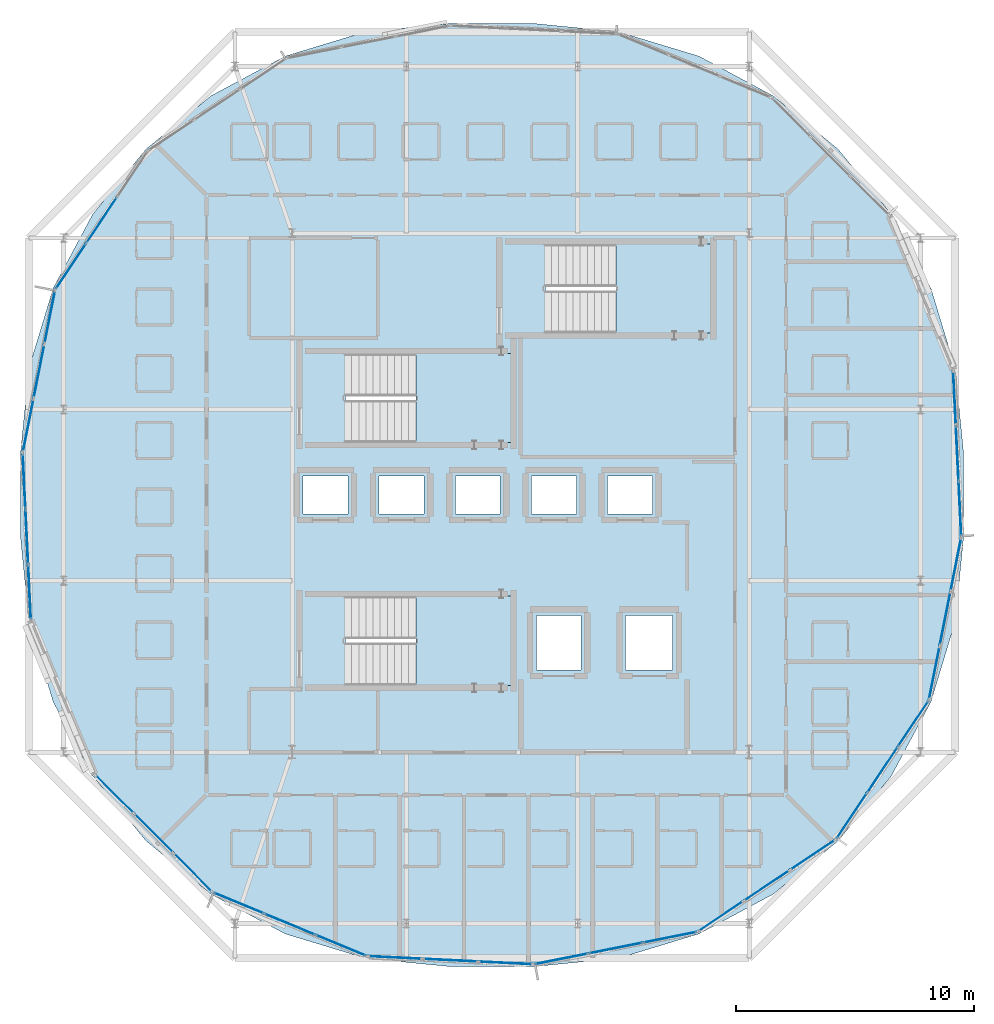
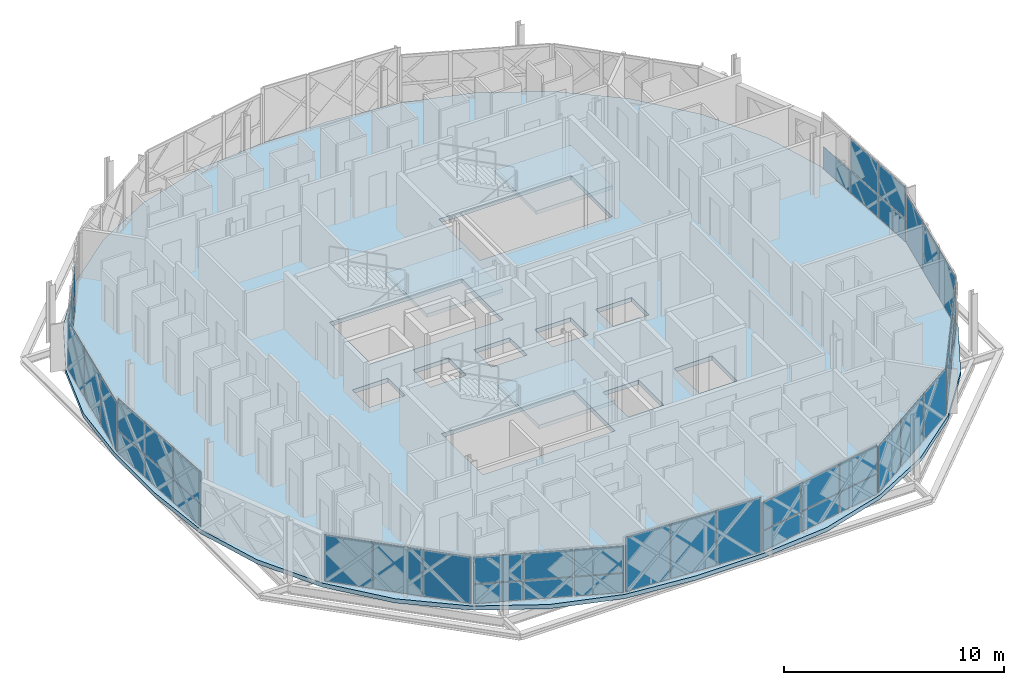
# One storey, part 11 of 24: 48 plates, 4 slabs, 14 elements without a shape of their own.
"""IFC4 building model written with IfcOpenShell, lengths in metres."""

import ifcopenshell
import ifcopenshell.guid

model = None  # the IFC model being written
_history = None  # IfcOwnerHistory: only IFC2X3 demands one
_inside = {}  # id of a spatial element -> (the spatial element, [elements in it])
_under = {}  # id of a project, library or spatial element -> (it, [spatial elements below it])
_declared = {}  # id of a project -> (the project, [libraries it declares])
_typed = {}  # id of a type object -> (the type object, [elements of that type])
_made_of = {}  # id of a material, layer set ... -> (it, [elements and type objects made of it])


def new_model(schema):
    """Start an empty IFC model of exactly this schema.

    Asked for "IFC4X3", IfcOpenShell would pick the latest addendum, in which some entities
    have other attributes; the version numbers below select the first issue.
    IFC2X3 requires an IfcOwnerHistory on every rooted entity: one is made here for all.
    """
    global model, _history
    if schema == "IFC4X3":
        model = ifcopenshell.file(schema_version=(4, 3, 0, 0))
    else:
        model = ifcopenshell.file(schema=schema)
    _inside.clear()
    _under.clear()
    _declared.clear()
    _typed.clear()
    _made_of.clear()
    _history = None
    if model.schema == "IFC2X3":
        org = make("IfcOrganization", Name="unknown")
        user = make(
            "IfcPersonAndOrganization",
            ThePerson=make("IfcPerson", FamilyName="unknown"),
            TheOrganization=org,
        )
        app = make(
            "IfcApplication",
            ApplicationDeveloper=org,
            Version="unknown",
            ApplicationFullName="unknown",
            ApplicationIdentifier="unknown",
        )
        _history = make(
            "IfcOwnerHistory",
            OwningUser=user,
            OwningApplication=app,
            ChangeAction="ADDED",
            CreationDate=0,
        )
    return model


def make(cls, **values):
    """One entity of the class cls with the attributes given. An attribute that is None is left unset."""
    return model.create_entity(
        cls, **{name: value for name, value in values.items() if value is not None}
    )


def rooted(cls, **values):
    """An entity with a GlobalId (a new one), such as an element, a storey or a relation."""
    return make(cls, GlobalId=ifcopenshell.guid.new(), OwnerHistory=_history, **values)


def si_unit(unit_type, name, prefix=None):
    """IfcSIUnit, for example si_unit("LENGTHUNIT", "METRE", prefix="MILLI")."""
    return make("IfcSIUnit", UnitType=unit_type, Prefix=prefix, Name=name)


def assignment(units):
    """IfcUnitAssignment: the units of a project."""
    return None if units is None else make("IfcUnitAssignment", Units=units)


def point(xyz):
    """IfcCartesianPoint."""
    return None if xyz is None else make("IfcCartesianPoint", Coordinates=xyz)


def direction(xyz):
    """IfcDirection."""
    return None if xyz is None else make("IfcDirection", DirectionRatios=xyz)


def frame(location, z_axis=None, x_axis=None):
    """IfcAxis2Placement3D, a coordinate frame: its origin and axes. An axis left out is left unset."""
    return make(
        "IfcAxis2Placement3D",
        Location=point(location),
        Axis=direction(z_axis),
        RefDirection=direction(x_axis),
    )


def frame_2d(location, x_axis=None):
    """IfcAxis2Placement2D, a coordinate frame in the plane: its origin and x axis."""
    return make(
        "IfcAxis2Placement2D", Location=point(location), RefDirection=direction(x_axis)
    )


def origin():
    """The frame at (0, 0, 0) with its axes left unset."""
    return frame((0.0, 0.0, 0.0))


def origin_2d():
    """The frame at (0, 0) in the plane with its x axis left unset."""
    return frame_2d((0.0, 0.0))


def place(relative_to, where):
    """IfcLocalPlacement: puts the frame where relative to a parent placement (None: the world)."""
    return make(
        "IfcLocalPlacement", PlacementRelTo=relative_to, RelativePlacement=where
    )


def context(
    kind, dimensions, precision=None, world=None, true_north=None, identifier=None
):
    """IfcGeometricRepresentationContext, for example the 3D "Model" context."""
    return make(
        "IfcGeometricRepresentationContext",
        ContextIdentifier=identifier,
        ContextType=kind,
        CoordinateSpaceDimension=dimensions,
        Precision=precision,
        WorldCoordinateSystem=world,
        TrueNorth=true_north,
    )


def subcontext(parent, identifier, kind, view, scale=None):
    """IfcGeometricRepresentationSubContext, for example "Body" below "Model"."""
    return make(
        "IfcGeometricRepresentationSubContext",
        ContextIdentifier=identifier,
        ContextType=kind,
        ParentContext=parent,
        TargetScale=scale,
        TargetView=view,
    )


def project(units=None, contexts=None):
    """IfcProject with its units and contexts."""
    return rooted(
        "IfcProject",
        Name="project",
        RepresentationContexts=contexts,
        UnitsInContext=assignment(units),
    )


def spatial(cls, under=None, at=None, **own):
    """A site, building, storey or space (cls), placed at a placement, below another one or the project."""
    s = rooted(cls, ObjectPlacement=at, **own)
    if under is not None:
        _under.setdefault(under.id(), (under, []))[1].append(s)
    return s


def polyline(points):
    """IfcPolyline through the points."""
    return make("IfcPolyline", Points=[point(p) for p in points])


def profile(cls, at=None, kind="AREA", **sizes):
    """A parametric profile (cls). Its sizes go by their IFC names, for example OverallWidth=200.0."""
    return make(cls, ProfileType=kind, Position=at, **sizes)


def rectangle(**sizes):
    """IfcRectangleProfileDef."""
    return profile("IfcRectangleProfileDef", **sizes)


def outline(outer, holes=None, kind="AREA"):
    """IfcArbitraryClosedProfileDef: a profile drawn as a closed curve; with holes, ...WithVoids."""
    if holes is None:
        return make("IfcArbitraryClosedProfileDef", ProfileType=kind, OuterCurve=outer)
    return make(
        "IfcArbitraryProfileDefWithVoids",
        ProfileType=kind,
        OuterCurve=outer,
        InnerCurves=holes,
    )


def extrude(swept, where, along, depth):
    """IfcExtrudedAreaSolid: the profile swept, set in the frame where, extruded along a direction by depth."""
    return make(
        "IfcExtrudedAreaSolid",
        SweptArea=swept,
        Position=where,
        ExtrudedDirection=direction(along),
        Depth=depth,
    )


def shape(context_of_items, identifier, shape_type, items):
    """IfcShapeRepresentation: the items that make up one representation, for example the "Body"."""
    return make(
        "IfcShapeRepresentation",
        ContextOfItems=context_of_items,
        RepresentationIdentifier=identifier,
        RepresentationType=shape_type,
        Items=items,
    )


def material(Name=None, Category=None):
    """IfcMaterial."""
    return make("IfcMaterial", Name=Name, Category=Category)


def layer(
    of_material, thickness, ventilated=None, Name=None, Category=None, Priority=None
):
    """IfcMaterialLayer: one layer of a wall or slab, of a material (None: an air gap)."""
    return make(
        "IfcMaterialLayer",
        Material=of_material,
        LayerThickness=thickness,
        IsVentilated=ventilated,
        Name=Name,
        Category=Category,
        Priority=Priority,
    )


def layer_set(layers, Name=None):
    """IfcMaterialLayerSet."""
    return make("IfcMaterialLayerSet", MaterialLayers=layers, LayerSetName=Name)


def made_of(thing, what):
    """Note that an element or type object is made of a material, layer set ...; save() writes the relation."""
    if what is not None:
        _made_of.setdefault(what.id(), (what, []))[1].append(thing)
    return thing


def type_object(cls, material=None, **own):
    """A type object (cls), such as IfcWallType, which elements share."""
    return made_of(rooted(cls, **own), material)


def element(
    cls,
    number,
    at=None,
    inside=None,
    cuts=None,
    type_object=None,
    material=None,
    context=None,
    identifier="Body",
    shape_type=None,
    held_by="IfcProductDefinitionShape",
    body=None,
    shapes=None,
    **own,
):
    """One element of the class cls, such as IfcWall. Its Tag is "e" and its number.

    at: its placement. inside: the storey or other place that contains it. cuts: it is an
    opening in that element (IfcRelVoidsElement). A single representation is given by context,
    identifier, shape_type and body (its items); several are given by shapes. held_by: the class
    of the entity that holds the representations. save() writes the other relations.
    """
    e = rooted(cls, Tag="e%d" % number, ObjectPlacement=at, **own)
    if body is not None:
        shapes = [shape(context, identifier, shape_type, body)]
    if shapes is not None:
        e.Representation = make(held_by, Representations=shapes)
    if inside is not None:
        _inside.setdefault(inside.id(), (inside, []))[1].append(e)
    if cuts is not None:
        rooted(
            "IfcRelVoidsElement", RelatingBuildingElement=cuts, RelatedOpeningElement=e
        )
    if type_object is not None:
        _typed.setdefault(type_object.id(), (type_object, []))[1].append(e)
    return made_of(e, material)


def aggregate(whole, parts):
    """IfcRelAggregates: a whole, such as a stair, and the parts it consists of."""
    return rooted("IfcRelAggregates", RelatingObject=whole, RelatedObjects=parts)


def save(model, path):
    """Write the relations noted so far, then the file.

    IfcRelAggregates (storeys below a building ...), IfcRelContainedInSpatialStructure (elements
    in a storey), IfcRelDefinesByType, IfcRelAssociatesMaterial and IfcRelDeclares: one each for
    every whole, place, type object, material and project.
    """
    for whole, parts in _under.values():
        aggregate(whole, parts)
    for where, things in _inside.values():
        rooted(
            "IfcRelContainedInSpatialStructure",
            RelatedElements=things,
            RelatingStructure=where,
        )
    for kind, things in _typed.values():
        rooted("IfcRelDefinesByType", RelatedObjects=things, RelatingType=kind)
    for what, things in _made_of.values():
        rooted("IfcRelAssociatesMaterial", RelatedObjects=things, RelatingMaterial=what)
    for by, libraries in _declared.values():
        rooted("IfcRelDeclares", RelatingContext=by, RelatedDefinitions=libraries)
    model.write(path)


model = new_model("IFC4")

# Units and contexts
model_context = context("Model", 3, precision=1e-05, world=origin(), true_north=direction((0.0, 1.0)))
body_context = subcontext(model_context, "Body", "Model", "MODEL_VIEW")
ifc_project = project(units=[si_unit("LENGTHUNIT", "METRE"), si_unit("AREAUNIT", "SQUARE_METRE"), si_unit("VOLUMEUNIT", "CUBIC_METRE"), si_unit("PLANEANGLEUNIT", "RADIAN"), si_unit("MASSUNIT", "GRAM", prefix="KILO")], contexts=[model_context])

# Site, building, storey
site_placement = place(None, origin())
site = spatial("IfcSite", under=ifc_project, at=site_placement, CompositionType="ELEMENT")
building_placement = place(site_placement, origin())
building = spatial("IfcBuilding", under=site, at=building_placement, Name="Zevrakil Square Congress Hotel", CompositionType="ELEMENT")
storey_placement = place(building_placement, frame((0.0, 0.0, 38.5)))
storey = spatial("IfcBuildingStorey", under=building, at=storey_placement, Name="L11", CompositionType="ELEMENT", Elevation=38.5)

# Curtain wall, plates
ifc_material_1 = material(Name="Aluminium Anodised Bronze", Category="aluminium")
ifc_layer_1 = layer(ifc_material_1, 0.179931640625)
ifc_layer_set_1 = layer_set([ifc_layer_1], Name="Aluminium Anodised Bronze")
curtain_wall_type = type_object("IfcCurtainWallType", Name="CW-L11-720", PredefinedType="USERDEFINED", material=ifc_layer_set_1)
curtain_wall_1_placement = place(storey_placement, origin())
curtain_wall_1 = element("IfcCurtainWall", 1, at=curtain_wall_1_placement, inside=storey, type_object=curtain_wall_type, Name="L11 diamond curtain wall CW-L11-0286", ObjectType="GLAZED CURTAIN WALL", PredefinedType="USERDEFINED")
ifc_material_2 = material(Name="Low-E Solar Control Double Glazing", Category="glass")
ifc_layer_2 = layer(ifc_material_2, 0.028076171875)
ifc_layer_set_2 = layer_set([ifc_layer_2], Name="Low-E Solar Control Double Glazing")
plate_type_1 = type_object("IfcPlateType", Name="CWP-GLAZ-28", PredefinedType="CURTAIN_PANEL", material=ifc_layer_set_2)
plate_1_placement = place(storey_placement, frame((148.120849609375, 8.11474609375, 0.06005859375), z_axis=(0.0, 0.0, 1.0), x_axis=(0.980786557708, 0.195083900459, 0.0)))
plate_1 = element("IfcPlate", 2, at=plate_1_placement, type_object=plate_type_1, Name="CW-130 panel 1.1", PredefinedType="CURTAIN_PANEL", context=body_context, shape_type="SweptSolid", body=[
    extrude(rectangle(XDim=2.2451171875, YDim=0.028076171875, at=origin_2d()), origin(), (0.0, 0.0, 1.0), 1.1005859375),
])
plate_2_placement = place(storey_placement, frame((150.396484375, 8.5673828125, 1.220703125), z_axis=(0.0, 0.0, 1.0), x_axis=(0.980786557708, 0.195083900459, 0.0)))
plate_2 = element("IfcPlate", 3, at=plate_2_placement, type_object=plate_type_1, Name="CW-130 panel 2.2", PredefinedType="CURTAIN_PANEL", context=body_context, shape_type="SweptSolid", body=[
    extrude(rectangle(XDim=2.275146484375, YDim=0.028076171875, at=origin_2d()), origin(), (0.0, 0.0, 1.0), 1.55419921875),
])
plate_3_placement = place(storey_placement, frame((152.672119140625, 9.02001953125, 1.220703125), z_axis=(0.0, 0.0, 1.0), x_axis=(0.980786557708, 0.195083900459, 0.0)))
plate_3 = element("IfcPlate", 4, at=plate_3_placement, type_object=plate_type_1, Name="CW-130 panel 3.2", PredefinedType="CURTAIN_PANEL", context=body_context, shape_type="SweptSolid", body=[
    extrude(rectangle(XDim=2.2451171875, YDim=0.028076171875, at=origin_2d()), origin(), (0.0, 0.0, 1.0), 1.55419921875),
])

# Curtain wall, plate
curtain_wall_2_placement = place(storey_placement, origin())
curtain_wall_2 = element("IfcCurtainWall", 5, at=curtain_wall_2_placement, inside=storey, type_object=curtain_wall_type, Name="L11 diamond curtain wall CW-L11-0287", ObjectType="GLAZED CURTAIN WALL", PredefinedType="USERDEFINED")
plate_4_placement = place(storey_placement, frame((158.673828125, 12.48583984375, 0.06005859375), z_axis=(0.0, 0.0, 1.0), x_axis=(0.831465693332, 0.555576098128, 0.0)))
plate_4 = element("IfcPlate", 6, at=plate_4_placement, type_object=plate_type_1, Name="CW-130 panel 3.1", PredefinedType="CURTAIN_PANEL", context=body_context, shape_type="SweptSolid", body=[
    extrude(rectangle(XDim=2.2451171875, YDim=0.028076171875, at=origin_2d()), origin(), (0.0, 0.0, 1.0), 2.574951171875),
])

# Curtain wall, plates
curtain_wall_3_placement = place(storey_placement, origin())
curtain_wall_3 = element("IfcCurtainWall", 7, at=curtain_wall_3_placement, inside=storey, type_object=curtain_wall_type, Name="L11 diamond curtain wall CW-L11-0288", ObjectType="GLAZED CURTAIN WALL", PredefinedType="USERDEFINED")
plate_5_placement = place(storey_placement, frame((160.314208984375, 14.126220703125, 1.161865234375), z_axis=(0.0, 0.0, 1.0), x_axis=(0.555576098128, 0.831465693332, 0.0)))
plate_5 = element("IfcPlate", 8, at=plate_5_placement, type_object=plate_type_1, Name="CW-130 panel 1.2", PredefinedType="CURTAIN_PANEL", context=body_context, shape_type="SweptSolid", body=[
    extrude(rectangle(XDim=2.2451171875, YDim=0.028076171875, at=origin_2d()), origin(), (0.0, 0.0, 1.0), 1.47314453125),
])
plate_6_placement = place(storey_placement, frame((161.603271484375, 16.055419921875, 1.161865234375), z_axis=(0.0, 0.0, 1.0), x_axis=(0.555576098128, 0.831465693332, 0.0)))
plate_6 = element("IfcPlate", 9, at=plate_6_placement, type_object=plate_type_1, Name="CW-130 panel 2.2", PredefinedType="CURTAIN_PANEL", context=body_context, shape_type="SweptSolid", body=[
    extrude(rectangle(XDim=2.275146484375, YDim=0.028076171875, at=origin_2d()), origin(), (0.0, 0.0, 1.0), 1.47314453125),
])

curtain_wall_4_placement = place(storey_placement, origin())
curtain_wall_4 = element("IfcCurtainWall", 10, at=curtain_wall_4_placement, inside=storey, type_object=curtain_wall_type, Name="L11 diamond curtain wall CW-L11-0289", ObjectType="GLAZED CURTAIN WALL", PredefinedType="USERDEFINED")
plate_7_placement = place(storey_placement, frame((163.780029296875, 20.127685546875, 0.06005859375), z_axis=(0.0, 0.0, 1.0), x_axis=(0.195083900459, 0.980786557708, 0.0)))
plate_7 = element("IfcPlate", 11, at=plate_7_placement, type_object=plate_type_1, Name="CW-130 panel 1.1", PredefinedType="CURTAIN_PANEL", context=body_context, shape_type="SweptSolid", body=[
    extrude(rectangle(XDim=2.2451171875, YDim=0.028076171875, at=origin_2d()), origin(), (0.0, 0.0, 1.0), 2.715087890625),
])
plate_8_placement = place(storey_placement, frame((164.685302734375, 24.67919921875, 0.06005859375), z_axis=(0.0, 0.0, 1.0), x_axis=(0.195083900459, 0.980786557708, 0.0)))
plate_8 = element("IfcPlate", 12, at=plate_8_placement, type_object=plate_type_1, Name="CW-130 panel 3.1", PredefinedType="CURTAIN_PANEL", context=body_context, shape_type="SweptSolid", body=[
    extrude(rectangle(XDim=2.2451171875, YDim=0.028076171875, at=origin_2d()), origin(), (0.0, 0.0, 1.0), 2.715087890625),
])

curtain_wall_5_placement = place(storey_placement, origin())
curtain_wall_5 = element("IfcCurtainWall", 13, at=curtain_wall_5_placement, inside=storey, type_object=curtain_wall_type, Name="L11 diamond curtain wall CW-L11-0290", ObjectType="GLAZED CURTAIN WALL", PredefinedType="USERDEFINED")
plate_9_placement = place(storey_placement, frame((164.857666015625, 27.02490234375, 1.35302734375), z_axis=(0.0, 0.0, 1.0), x_axis=(-0.04905259764, 0.998796196761, 0.0)))
plate_9 = element("IfcPlate", 14, at=plate_9_placement, type_object=plate_type_1, Name="CW-130 panel 1.2", PredefinedType="CURTAIN_PANEL", context=body_context, shape_type="SweptSolid", body=[
    extrude(rectangle(XDim=2.25439453125, YDim=0.028076171875, at=origin_2d()), origin(), (0.0, 0.0, 1.0), 1.737060546875),
])
plate_10_placement = place(storey_placement, frame((164.629150390625, 31.677978515625, 0.06005859375), z_axis=(0.0, 0.0, 1.0), x_axis=(-0.04905259764, 0.998796196761, 0.0)))
plate_10 = element("IfcPlate", 15, at=plate_10_placement, type_object=plate_type_1, Name="CW-130 panel 3.1", PredefinedType="CURTAIN_PANEL", context=body_context, shape_type="SweptSolid", body=[
    extrude(rectangle(XDim=2.25439453125, YDim=0.028076171875, at=origin_2d()), origin(), (0.0, 0.0, 1.0), 1.23291015625),
])

curtain_wall_6_placement = place(storey_placement, origin())
curtain_wall_6 = element("IfcCurtainWall", 16, at=curtain_wall_6_placement, inside=storey, type_object=curtain_wall_type, Name="L11 diamond curtain wall CW-L11-0296", ObjectType="GLAZED CURTAIN WALL", PredefinedType="USERDEFINED")
plate_11_placement = place(storey_placement, frame((128.796875, 39.14453125, 1.161865234375), z_axis=(0.0, 0.0, 1.0), x_axis=(-0.555576098128, -0.831465693332, 0.0)))
plate_11 = element("IfcPlate", 17, at=plate_11_placement, type_object=plate_type_1, Name="CW-130 panel 2.2", PredefinedType="CURTAIN_PANEL", context=body_context, shape_type="SweptSolid", body=[
    extrude(rectangle(XDim=2.275146484375, YDim=0.028076171875, at=origin_2d()), origin(), (0.0, 0.0, 1.0), 1.47314453125),
])
plate_12_placement = place(storey_placement, frame((127.5078125, 37.21533203125, 1.161865234375), z_axis=(0.0, 0.0, 1.0), x_axis=(-0.555576098128, -0.831465693332, 0.0)))
plate_12 = element("IfcPlate", 18, at=plate_12_placement, type_object=plate_type_1, Name="CW-130 panel 3.2", PredefinedType="CURTAIN_PANEL", context=body_context, shape_type="SweptSolid", body=[
    extrude(rectangle(XDim=2.2451171875, YDim=0.028076171875, at=origin_2d()), origin(), (0.0, 0.0, 1.0), 1.47314453125),
])

# Curtain wall, plate
curtain_wall_7_placement = place(storey_placement, origin())
curtain_wall_7 = element("IfcCurtainWall", 19, at=curtain_wall_7_placement, inside=storey, type_object=curtain_wall_type, Name="L11 diamond curtain wall CW-L11-0297", ObjectType="GLAZED CURTAIN WALL", PredefinedType="USERDEFINED")
plate_13_placement = place(storey_placement, frame((125.714599609375, 30.52099609375, 0.06005859375), z_axis=(0.0, 0.0, 1.0), x_axis=(-0.195083900459, -0.980786557708, 0.0)))
plate_13 = element("IfcPlate", 20, at=plate_13_placement, type_object=plate_type_1, Name="CW-130 panel 3.1", PredefinedType="CURTAIN_PANEL", context=body_context, shape_type="SweptSolid", body=[
    extrude(rectangle(XDim=2.2451171875, YDim=0.028076171875, at=origin_2d()), origin(), (0.0, 0.0, 1.0), 2.715087890625),
])

# Curtain wall, plates
curtain_wall_8_placement = place(storey_placement, origin())
curtain_wall_8 = element("IfcCurtainWall", 21, at=curtain_wall_8_placement, inside=storey, type_object=curtain_wall_type, Name="L11 diamond curtain wall CW-L11-0298", ObjectType="GLAZED CURTAIN WALL", PredefinedType="USERDEFINED")
plate_14_placement = place(storey_placement, frame((125.542236328125, 28.17529296875, 1.35302734375), z_axis=(0.0, 0.0, 1.0), x_axis=(0.04905259764, -0.998796196761, 0.0)))
plate_14 = element("IfcPlate", 22, at=plate_14_placement, type_object=plate_type_1, Name="CW-130 panel 1.2", PredefinedType="CURTAIN_PANEL", context=body_context, shape_type="SweptSolid", body=[
    extrude(rectangle(XDim=2.25439453125, YDim=0.028076171875, at=origin_2d()), origin(), (0.0, 0.0, 1.0), 1.737060546875),
])
plate_15_placement = place(storey_placement, frame((125.656494140625, 25.8486328125, 1.35302734375), z_axis=(0.0, 0.0, 1.0), x_axis=(0.04905259764, -0.998796196761, 0.0)))
plate_15 = element("IfcPlate", 23, at=plate_15_placement, type_object=plate_type_1, Name="CW-130 panel 2.2", PredefinedType="CURTAIN_PANEL", context=body_context, shape_type="SweptSolid", body=[
    extrude(rectangle(XDim=2.284423828125, YDim=0.028076171875, at=origin_2d()), origin(), (0.0, 0.0, 1.0), 1.737060546875),
])

curtain_wall_9_placement = place(storey_placement, origin())
curtain_wall_9 = element("IfcCurtainWall", 24, at=curtain_wall_9_placement, inside=storey, type_object=curtain_wall_type, Name="L11 diamond curtain wall CW-L11-0299", ObjectType="GLAZED CURTAIN WALL", PredefinedType="USERDEFINED")
plate_16_placement = place(storey_placement, frame((129.34619140625, 15.027587890625, 0.06005859375), z_axis=(0.0, 0.0, 1.0), x_axis=(0.707106781187, -0.707106781187, 0.0)))
plate_16 = element("IfcPlate", 25, at=plate_16_placement, type_object=plate_type_1, Name="CW-130 panel 1.1", PredefinedType="CURTAIN_PANEL", context=body_context, shape_type="SweptSolid", body=[
    extrude(rectangle(XDim=2.2451171875, YDim=0.028076171875, at=origin_2d()), origin(), (0.0, 0.0, 1.0), 2.574951171875),
])
plate_17_placement = place(storey_placement, frame((132.62744140625, 11.746337890625, 0.06005859375), z_axis=(0.0, 0.0, 1.0), x_axis=(0.707106781187, -0.707106781187, 0.0)))
plate_17 = element("IfcPlate", 26, at=plate_17_placement, type_object=plate_type_1, Name="CW-130 panel 3.1", PredefinedType="CURTAIN_PANEL", context=body_context, shape_type="SweptSolid", body=[
    extrude(rectangle(XDim=2.2451171875, YDim=0.028076171875, at=origin_2d()), origin(), (0.0, 0.0, 1.0), 2.574951171875),
])

curtain_wall_10_placement = place(storey_placement, origin())
curtain_wall_10 = element("IfcCurtainWall", 27, at=curtain_wall_10_placement, inside=storey, type_object=curtain_wall_type, Name="L11 diamond curtain wall CW-L11-0300", ObjectType="GLAZED CURTAIN WALL", PredefinedType="USERDEFINED")
plate_18_placement = place(storey_placement, frame((134.556396484375, 10.45751953125, 1.161865234375), z_axis=(0.0, 0.0, 1.0), x_axis=(0.92387939537, -0.382683763454, 0.0)))
plate_18 = element("IfcPlate", 28, at=plate_18_placement, type_object=plate_type_1, Name="CW-130 panel 1.2", PredefinedType="CURTAIN_PANEL", context=body_context, shape_type="SweptSolid", body=[
    extrude(rectangle(XDim=2.245361328125, YDim=0.028076171875, at=origin_2d()), origin(), (0.0, 0.0, 1.0), 1.47314453125),
])
plate_19_placement = place(storey_placement, frame((138.843505859375, 8.681640625, 0.06005859375), z_axis=(0.0, 0.0, 1.0), x_axis=(0.92387939537, -0.382683763454, 0.0)))
plate_19 = element("IfcPlate", 29, at=plate_19_placement, type_object=plate_type_1, Name="CW-130 panel 3.1", PredefinedType="CURTAIN_PANEL", context=body_context, shape_type="SweptSolid", body=[
    extrude(rectangle(XDim=2.245361328125, YDim=0.028076171875, at=origin_2d()), origin(), (0.0, 0.0, 1.0), 1.0419921875),
])

# Curtain wall, plate
curtain_wall_11_placement = place(storey_placement, origin())
curtain_wall_11 = element("IfcCurtainWall", 30, at=curtain_wall_11_placement, inside=storey, type_object=curtain_wall_type, Name="L11 diamond curtain wall CW-L11-0301", ObjectType="GLAZED CURTAIN WALL", PredefinedType="USERDEFINED")
plate_20_placement = place(storey_placement, frame((141.1220703125, 8.170654296875, 0.06005859375), z_axis=(0.0, 0.0, 1.0), x_axis=(0.998796196761, -0.04905259764, 0.0)))
plate_20 = element("IfcPlate", 31, at=plate_20_placement, type_object=plate_type_1, Name="CW-130 panel 1.1", PredefinedType="CURTAIN_PANEL", context=body_context, shape_type="SweptSolid", body=[
    extrude(rectangle(XDim=2.25439453125, YDim=0.028076171875, at=origin_2d()), origin(), (0.0, 0.0, 1.0), 3.030029296875),
])

# Plate
ifc_material_3 = material(Name="Basalt Grey Ribbed GRC Panel", Category="masonry")
ifc_layer_3 = layer(ifc_material_3, 0.0439453125)
ifc_layer_set_3 = layer_set([ifc_layer_3], Name="Basalt Grey Ribbed GRC Panel")
plate_type_2 = type_object("IfcPlateType", Name="CWP-GRCG-44", PredefinedType="CURTAIN_PANEL", material=ifc_layer_set_3)
plate_21_placement = place(storey_placement, frame((150.396484375, 8.5673828125, 0.06005859375), z_axis=(0.0, 0.0, 1.0), x_axis=(0.980786557708, 0.195083900459, 0.0)))
plate_21 = element("IfcPlate", 32, at=plate_21_placement, type_object=plate_type_2, Name="CW-130 panel 2.1", PredefinedType="CURTAIN_PANEL", context=body_context, shape_type="SweptSolid", body=[
    extrude(rectangle(XDim=2.275146484375, YDim=0.028076171875, at=origin_2d()), origin(), (0.0, 0.0, 1.0), 1.1005859375),
])

plate_22_placement = place(storey_placement, frame((156.74462890625, 11.19677734375, 0.06005859375), z_axis=(0.0, 0.0, 1.0), x_axis=(0.831465693332, 0.555576098128, 0.0)))
plate_22 = element("IfcPlate", 33, at=plate_22_placement, type_object=plate_type_2, Name="CW-130 panel 2.1", PredefinedType="CURTAIN_PANEL", context=body_context, shape_type="SweptSolid", body=[
    extrude(rectangle(XDim=2.275146484375, YDim=0.028076171875, at=origin_2d()), origin(), (0.0, 0.0, 1.0), 2.574951171875),
])

plate_23_placement = place(storey_placement, frame((160.314208984375, 14.126220703125, 0.06005859375), z_axis=(0.0, 0.0, 1.0), x_axis=(0.555576098128, 0.831465693332, 0.0)))
plate_23 = element("IfcPlate", 34, at=plate_23_placement, type_object=plate_type_2, Name="CW-130 panel 1.1", PredefinedType="CURTAIN_PANEL", context=body_context, shape_type="SweptSolid", body=[
    extrude(rectangle(XDim=2.2451171875, YDim=0.028076171875, at=origin_2d()), origin(), (0.0, 0.0, 1.0), 1.0419921875),
])

plate_24_placement = place(storey_placement, frame((162.892333984375, 17.984619140625, 1.161865234375), z_axis=(0.0, 0.0, 1.0), x_axis=(0.555576098128, 0.831465693332, 0.0)))
plate_24 = element("IfcPlate", 35, at=plate_24_placement, type_object=plate_type_2, Name="CW-130 panel 3.2", PredefinedType="CURTAIN_PANEL", context=body_context, shape_type="SweptSolid", body=[
    extrude(rectangle(XDim=2.2451171875, YDim=0.028076171875, at=origin_2d()), origin(), (0.0, 0.0, 1.0), 1.47314453125),
])

plate_25_placement = place(storey_placement, frame((164.743408203125, 29.351318359375, 1.35302734375), z_axis=(0.0, 0.0, 1.0), x_axis=(-0.04905259764, 0.998796196761, 0.0)))
plate_25 = element("IfcPlate", 36, at=plate_25_placement, type_object=plate_type_2, Name="CW-130 panel 2.2", PredefinedType="CURTAIN_PANEL", context=body_context, shape_type="SweptSolid", body=[
    extrude(rectangle(XDim=2.284423828125, YDim=0.028076171875, at=origin_2d()), origin(), (0.0, 0.0, 1.0), 1.737060546875),
])

plate_26_placement = place(storey_placement, frame((128.796875, 39.14453125, 0.06005859375), z_axis=(0.0, 0.0, 1.0), x_axis=(-0.555576098128, -0.831465693332, 0.0)))
plate_26 = element("IfcPlate", 37, at=plate_26_placement, type_object=plate_type_2, Name="CW-130 panel 2.1", PredefinedType="CURTAIN_PANEL", context=body_context, shape_type="SweptSolid", body=[
    extrude(rectangle(XDim=2.275146484375, YDim=0.028076171875, at=origin_2d()), origin(), (0.0, 0.0, 1.0), 1.0419921875),
])

plate_27_placement = place(storey_placement, frame((126.167236328125, 32.796630859375, 0.06005859375), z_axis=(0.0, 0.0, 1.0), x_axis=(-0.195083900459, -0.980786557708, 0.0)))
plate_27 = element("IfcPlate", 38, at=plate_27_placement, type_object=plate_type_2, Name="CW-130 panel 2.1", PredefinedType="CURTAIN_PANEL", context=body_context, shape_type="SweptSolid", body=[
    extrude(rectangle(XDim=2.275146484375, YDim=0.028076171875, at=origin_2d()), origin(), (0.0, 0.0, 1.0), 2.715087890625),
])

plate_28_placement = place(storey_placement, frame((125.542236328125, 28.17529296875, 0.06005859375), z_axis=(0.0, 0.0, 1.0), x_axis=(0.04905259764, -0.998796196761, 0.0)))
plate_28 = element("IfcPlate", 39, at=plate_28_placement, type_object=plate_type_2, Name="CW-130 panel 1.1", PredefinedType="CURTAIN_PANEL", context=body_context, shape_type="SweptSolid", body=[
    extrude(rectangle(XDim=2.25439453125, YDim=0.028076171875, at=origin_2d()), origin(), (0.0, 0.0, 1.0), 1.23291015625),
])

plate_29_placement = place(storey_placement, frame((125.770751953125, 23.52197265625, 1.35302734375), z_axis=(0.0, 0.0, 1.0), x_axis=(0.04905259764, -0.998796196761, 0.0)))
plate_29 = element("IfcPlate", 40, at=plate_29_placement, type_object=plate_type_2, Name="CW-130 panel 3.2", PredefinedType="CURTAIN_PANEL", context=body_context, shape_type="SweptSolid", body=[
    extrude(rectangle(XDim=2.25439453125, YDim=0.028076171875, at=origin_2d()), origin(), (0.0, 0.0, 1.0), 1.737060546875),
])

plate_30_placement = place(storey_placement, frame((136.699951171875, 9.569580078125, 1.161865234375), z_axis=(0.0, 0.0, 1.0), x_axis=(0.92387939537, -0.382683763454, 0.0)))
plate_30 = element("IfcPlate", 41, at=plate_30_placement, type_object=plate_type_2, Name="CW-130 panel 2.2", PredefinedType="CURTAIN_PANEL", context=body_context, shape_type="SweptSolid", body=[
    extrude(rectangle(XDim=2.275146484375, YDim=0.028076171875, at=origin_2d()), origin(), (0.0, 0.0, 1.0), 1.47314453125),
])

plate_31_placement = place(storey_placement, frame((145.775146484375, 7.942138671875, 0.06005859375), z_axis=(0.0, 0.0, 1.0), x_axis=(0.998796196761, -0.04905259764, 0.0)))
plate_31 = element("IfcPlate", 42, at=plate_31_placement, type_object=plate_type_2, Name="CW-130 panel 3.1", PredefinedType="CURTAIN_PANEL", context=body_context, shape_type="SweptSolid", body=[
    extrude(rectangle(XDim=2.25439453125, YDim=0.028076171875, at=origin_2d()), origin(), (0.0, 0.0, 1.0), 3.030029296875),
])

ifc_material_4 = material(Name="White Ribbed Highland GRC Panel", Category="concrete")
ifc_layer_4 = layer(ifc_material_4, 0.0400390625)
ifc_layer_set_4 = layer_set([ifc_layer_4], Name="White Ribbed Highland GRC Panel")
plate_type_3 = type_object("IfcPlateType", Name="CWP-GRCW-40", PredefinedType="CURTAIN_PANEL", material=ifc_layer_set_4)
plate_32_placement = place(storey_placement, frame((148.120849609375, 8.11474609375, 1.220703125), z_axis=(0.0, 0.0, 1.0), x_axis=(0.980786557708, 0.195083900459, 0.0)))
plate_32 = element("IfcPlate", 43, at=plate_32_placement, type_object=plate_type_3, Name="CW-130 panel 1.2", PredefinedType="CURTAIN_PANEL", context=body_context, shape_type="SweptSolid", body=[
    extrude(rectangle(XDim=2.2451171875, YDim=0.028076171875, at=origin_2d()), origin(), (0.0, 0.0, 1.0), 1.55419921875),
])

plate_33_placement = place(storey_placement, frame((152.672119140625, 9.02001953125, 0.06005859375), z_axis=(0.0, 0.0, 1.0), x_axis=(0.980786557708, 0.195083900459, 0.0)))
plate_33 = element("IfcPlate", 44, at=plate_33_placement, type_object=plate_type_3, Name="CW-130 panel 3.1", PredefinedType="CURTAIN_PANEL", context=body_context, shape_type="SweptSolid", body=[
    extrude(rectangle(XDim=2.2451171875, YDim=0.028076171875, at=origin_2d()), origin(), (0.0, 0.0, 1.0), 1.1005859375),
])

aggregate(curtain_wall_1, [plate_1, plate_32, plate_21, plate_2, plate_33, plate_3])

plate_34_placement = place(storey_placement, frame((154.8154296875, 9.90771484375, 0.06005859375), z_axis=(0.0, 0.0, 1.0), x_axis=(0.831465693332, 0.555576098128, 0.0)))
plate_34 = element("IfcPlate", 45, at=plate_34_placement, type_object=plate_type_3, Name="CW-130 panel 1.1", PredefinedType="CURTAIN_PANEL", context=body_context, shape_type="SweptSolid", body=[
    extrude(rectangle(XDim=2.2451171875, YDim=0.028076171875, at=origin_2d()), origin(), (0.0, 0.0, 1.0), 2.574951171875),
])

aggregate(curtain_wall_2, [plate_34, plate_22, plate_4])

plate_35_placement = place(storey_placement, frame((161.603271484375, 16.055419921875, 0.06005859375), z_axis=(0.0, 0.0, 1.0), x_axis=(0.555576098128, 0.831465693332, 0.0)))
plate_35 = element("IfcPlate", 46, at=plate_35_placement, type_object=plate_type_3, Name="CW-130 panel 2.1", PredefinedType="CURTAIN_PANEL", context=body_context, shape_type="SweptSolid", body=[
    extrude(rectangle(XDim=2.275146484375, YDim=0.028076171875, at=origin_2d()), origin(), (0.0, 0.0, 1.0), 1.0419921875),
])

plate_36_placement = place(storey_placement, frame((162.892333984375, 17.984619140625, 0.06005859375), z_axis=(0.0, 0.0, 1.0), x_axis=(0.555576098128, 0.831465693332, 0.0)))
plate_36 = element("IfcPlate", 47, at=plate_36_placement, type_object=plate_type_3, Name="CW-130 panel 3.1", PredefinedType="CURTAIN_PANEL", context=body_context, shape_type="SweptSolid", body=[
    extrude(rectangle(XDim=2.2451171875, YDim=0.028076171875, at=origin_2d()), origin(), (0.0, 0.0, 1.0), 1.0419921875),
])

aggregate(curtain_wall_3, [plate_23, plate_5, plate_35, plate_6, plate_36, plate_24])

plate_37_placement = place(storey_placement, frame((164.232666015625, 22.403564453125, 0.06005859375), z_axis=(0.0, 0.0, 1.0), x_axis=(0.195083900459, 0.980786557708, 0.0)))
plate_37 = element("IfcPlate", 48, at=plate_37_placement, type_object=plate_type_3, Name="CW-130 panel 2.1", PredefinedType="CURTAIN_PANEL", context=body_context, shape_type="SweptSolid", body=[
    extrude(rectangle(XDim=2.275146484375, YDim=0.028076171875, at=origin_2d()), origin(), (0.0, 0.0, 1.0), 2.715087890625),
])

aggregate(curtain_wall_4, [plate_7, plate_37, plate_8])

plate_38_placement = place(storey_placement, frame((164.857666015625, 27.02490234375, 0.06005859375), z_axis=(0.0, 0.0, 1.0), x_axis=(-0.04905259764, 0.998796196761, 0.0)))
plate_38 = element("IfcPlate", 49, at=plate_38_placement, type_object=plate_type_3, Name="CW-130 panel 1.1", PredefinedType="CURTAIN_PANEL", context=body_context, shape_type="SweptSolid", body=[
    extrude(rectangle(XDim=2.25439453125, YDim=0.028076171875, at=origin_2d()), origin(), (0.0, 0.0, 1.0), 1.23291015625),
])

plate_39_placement = place(storey_placement, frame((164.743408203125, 29.351318359375, 0.06005859375), z_axis=(0.0, 0.0, 1.0), x_axis=(-0.04905259764, 0.998796196761, 0.0)))
plate_39 = element("IfcPlate", 50, at=plate_39_placement, type_object=plate_type_3, Name="CW-130 panel 2.1", PredefinedType="CURTAIN_PANEL", context=body_context, shape_type="SweptSolid", body=[
    extrude(rectangle(XDim=2.284423828125, YDim=0.028076171875, at=origin_2d()), origin(), (0.0, 0.0, 1.0), 1.23291015625),
])

aggregate(curtain_wall_5, [plate_38, plate_9, plate_39, plate_25, plate_10])

plate_40_placement = place(storey_placement, frame((127.5078125, 37.21533203125, 0.06005859375), z_axis=(0.0, 0.0, 1.0), x_axis=(-0.555576098128, -0.831465693332, 0.0)))
plate_40 = element("IfcPlate", 51, at=plate_40_placement, type_object=plate_type_3, Name="CW-130 panel 3.1", PredefinedType="CURTAIN_PANEL", context=body_context, shape_type="SweptSolid", body=[
    extrude(rectangle(XDim=2.2451171875, YDim=0.028076171875, at=origin_2d()), origin(), (0.0, 0.0, 1.0), 1.0419921875),
])

aggregate(curtain_wall_6, [plate_26, plate_11, plate_40, plate_12])

plate_41_placement = place(storey_placement, frame((126.619873046875, 35.072265625, 0.06005859375), z_axis=(0.0, 0.0, 1.0), x_axis=(-0.195083900459, -0.980786557708, 0.0)))
plate_41 = element("IfcPlate", 52, at=plate_41_placement, type_object=plate_type_3, Name="CW-130 panel 1.1", PredefinedType="CURTAIN_PANEL", context=body_context, shape_type="SweptSolid", body=[
    extrude(rectangle(XDim=2.2451171875, YDim=0.028076171875, at=origin_2d()), origin(), (0.0, 0.0, 1.0), 2.715087890625),
])

aggregate(curtain_wall_7, [plate_41, plate_27, plate_13])

plate_42_placement = place(storey_placement, frame((125.656494140625, 25.8486328125, 0.06005859375), z_axis=(0.0, 0.0, 1.0), x_axis=(0.04905259764, -0.998796196761, 0.0)))
plate_42 = element("IfcPlate", 53, at=plate_42_placement, type_object=plate_type_3, Name="CW-130 panel 2.1", PredefinedType="CURTAIN_PANEL", context=body_context, shape_type="SweptSolid", body=[
    extrude(rectangle(XDim=2.284423828125, YDim=0.028076171875, at=origin_2d()), origin(), (0.0, 0.0, 1.0), 1.23291015625),
])

plate_43_placement = place(storey_placement, frame((125.770751953125, 23.52197265625, 0.06005859375), z_axis=(0.0, 0.0, 1.0), x_axis=(0.04905259764, -0.998796196761, 0.0)))
plate_43 = element("IfcPlate", 54, at=plate_43_placement, type_object=plate_type_3, Name="CW-130 panel 3.1", PredefinedType="CURTAIN_PANEL", context=body_context, shape_type="SweptSolid", body=[
    extrude(rectangle(XDim=2.25439453125, YDim=0.028076171875, at=origin_2d()), origin(), (0.0, 0.0, 1.0), 1.23291015625),
])

aggregate(curtain_wall_8, [plate_28, plate_14, plate_42, plate_15, plate_43, plate_29])

plate_44_placement = place(storey_placement, frame((130.98681640625, 13.386962890625, 0.06005859375), z_axis=(0.0, 0.0, 1.0), x_axis=(0.707106781187, -0.707106781187, 0.0)))
plate_44 = element("IfcPlate", 55, at=plate_44_placement, type_object=plate_type_3, Name="CW-130 panel 2.1", PredefinedType="CURTAIN_PANEL", context=body_context, shape_type="SweptSolid", body=[
    extrude(rectangle(XDim=2.275146484375, YDim=0.028076171875, at=origin_2d()), origin(), (0.0, 0.0, 1.0), 2.574951171875),
])

aggregate(curtain_wall_9, [plate_16, plate_44, plate_17])

plate_45_placement = place(storey_placement, frame((134.556396484375, 10.45751953125, 0.06005859375), z_axis=(0.0, 0.0, 1.0), x_axis=(0.92387939537, -0.382683763454, 0.0)))
plate_45 = element("IfcPlate", 56, at=plate_45_placement, type_object=plate_type_3, Name="CW-130 panel 1.1", PredefinedType="CURTAIN_PANEL", context=body_context, shape_type="SweptSolid", body=[
    extrude(rectangle(XDim=2.245361328125, YDim=0.028076171875, at=origin_2d()), origin(), (0.0, 0.0, 1.0), 1.0419921875),
])

plate_46_placement = place(storey_placement, frame((136.699951171875, 9.569580078125, 0.06005859375), z_axis=(0.0, 0.0, 1.0), x_axis=(0.92387939537, -0.382683763454, 0.0)))
plate_46 = element("IfcPlate", 57, at=plate_46_placement, type_object=plate_type_3, Name="CW-130 panel 2.1", PredefinedType="CURTAIN_PANEL", context=body_context, shape_type="SweptSolid", body=[
    extrude(rectangle(XDim=2.275146484375, YDim=0.028076171875, at=origin_2d()), origin(), (0.0, 0.0, 1.0), 1.0419921875),
])

plate_47_placement = place(storey_placement, frame((138.843505859375, 8.681640625, 1.161865234375), z_axis=(0.0, 0.0, 1.0), x_axis=(0.92387939537, -0.382683763454, 0.0)))
plate_47 = element("IfcPlate", 58, at=plate_47_placement, type_object=plate_type_3, Name="CW-130 panel 3.2", PredefinedType="CURTAIN_PANEL", context=body_context, shape_type="SweptSolid", body=[
    extrude(rectangle(XDim=2.245361328125, YDim=0.028076171875, at=origin_2d()), origin(), (0.0, 0.0, 1.0), 1.47314453125),
])

aggregate(curtain_wall_10, [plate_45, plate_18, plate_46, plate_30, plate_19, plate_47])

plate_48_placement = place(storey_placement, frame((143.448486328125, 8.056396484375, 0.06005859375), z_axis=(0.0, 0.0, 1.0), x_axis=(0.998796196761, -0.04905259764, 0.0)))
plate_48 = element("IfcPlate", 59, at=plate_48_placement, type_object=plate_type_3, Name="CW-130 panel 2.1", PredefinedType="CURTAIN_PANEL", context=body_context, shape_type="SweptSolid", body=[
    extrude(rectangle(XDim=2.284423828125, YDim=0.028076171875, at=origin_2d()), origin(), (0.0, 0.0, 1.0), 3.030029296875),
])

aggregate(curtain_wall_11, [plate_20, plate_48, plate_31])

# Slab
ifc_material_5 = material(Name="Concrete C35/45", Category="concrete")
ifc_layer_5 = layer(ifc_material_5, 0.235107421875)
ifc_layer_set_5 = layer_set([ifc_layer_5], Name="Concrete C35/45")
slab_type_1 = type_object("IfcSlabType", Name="SLB-DRUM-235", PredefinedType="FLOOR", material=ifc_layer_set_5)
slab_1_placement = place(storey_placement, frame((0.0, 0.0, -0.235107421875)))
element("IfcSlab", 60, at=slab_1_placement, inside=storey, type_object=slab_type_1, Name="L11 swelling hotel drum floor slab", PredefinedType="FLOOR", context=body_context, shape_type="SweptSolid", body=[
    extrude(outline(polyline([(147.006103515625, 7.7939453125), (150.517578125, 8.139892578125), (153.894287109375, 9.164306640625), (157.00634765625, 10.827392578125), (159.73388671875, 13.066162109375), (161.972412109375, 15.793701171875), (163.6357421875, 18.90576171875), (164.66015625, 22.282470703125), (165.006103515625, 25.7939453125), (165.006103515625, 29.406005859375), (164.66015625, 32.91748046875), (163.6357421875, 36.294189453125), (161.972412109375, 39.40625), (159.73388671875, 42.1337890625), (157.00634765625, 44.37255859375), (153.894287109375, 46.035888671875), (150.517578125, 47.06005859375), (147.006103515625, 47.406005859375), (143.39404296875, 47.406005859375), (139.88232421875, 47.06005859375), (136.505615234375, 46.035888671875), (133.393798828125, 44.37255859375), (130.666015625, 42.1337890625), (128.427490234375, 39.40625), (126.76416015625, 36.294189453125), (125.739990234375, 32.91748046875), (125.39404296875, 29.406005859375), (125.39404296875, 25.7939453125), (125.739990234375, 22.282470703125), (126.76416015625, 18.90576171875), (128.427490234375, 15.793701171875), (130.666015625, 13.066162109375), (133.393798828125, 10.827392578125), (136.505615234375, 9.164306640625), (139.88232421875, 8.139892578125), (143.39404296875, 7.7939453125), (147.006103515625, 7.7939453125)]), holes=[polyline([(139.044921875, 19.60009765625), (146.0, 19.60009765625), (146.0, 23.35009765625), (139.044921875, 23.35009765625), (139.044921875, 19.60009765625)]), polyline([(139.044921875, 29.800048828125), (146.0, 29.800048828125), (146.0, 33.550048828125), (139.044921875, 33.550048828125), (139.044921875, 29.800048828125)]), polyline([(147.445068359375, 34.39990234375), (154.39990234375, 34.39990234375), (154.39990234375, 38.14990234375), (147.445068359375, 38.14990234375), (147.445068359375, 34.39990234375)]), polyline([(137.260009765625, 26.81005859375), (139.139892578125, 26.81005859375), (139.139892578125, 28.389892578125), (137.260009765625, 28.389892578125), (137.260009765625, 26.81005859375)]), polyline([(140.4599609375, 26.81005859375), (142.340087890625, 26.81005859375), (142.340087890625, 28.389892578125), (140.4599609375, 28.389892578125), (140.4599609375, 26.81005859375)]), polyline([(143.659912109375, 26.81005859375), (145.5400390625, 26.81005859375), (145.5400390625, 28.389892578125), (143.659912109375, 28.389892578125), (143.659912109375, 26.81005859375)]), polyline([(146.860107421875, 26.81005859375), (148.739990234375, 26.81005859375), (148.739990234375, 28.389892578125), (146.860107421875, 28.389892578125), (146.860107421875, 26.81005859375)]), polyline([(150.06005859375, 26.81005859375), (151.93994140625, 26.81005859375), (151.93994140625, 28.389892578125), (150.06005859375, 28.389892578125), (150.06005859375, 26.81005859375)]), polyline([(147.06005859375, 20.260009765625), (148.93994140625, 20.260009765625), (148.93994140625, 22.5400390625), (147.06005859375, 22.5400390625), (147.06005859375, 20.260009765625)]), polyline([(150.81005859375, 20.260009765625), (152.7900390625, 20.260009765625), (152.7900390625, 22.5400390625), (150.81005859375, 22.5400390625), (150.81005859375, 20.260009765625)])]), origin(), (0.0, 0.0, 1.0), 0.235107421875),
])

# Stair, slab
ifc_material_6 = material(Name="Concrete C35/45", Category="concrete")
stair_type = type_object("IfcStairType", Name="STR-DOGLEG-180", PredefinedType="HALF_TURN_STAIR", material=ifc_material_6)
stair_1_placement = place(storey_placement, origin())
stair_1 = element("IfcStair", 61, at=stair_1_placement, inside=storey, type_object=stair_type, Name="L11 Protected exit stair ST01", PredefinedType="HALF_TURN_STAIR")
ifc_material_7 = material(Name="Concrete C35/45", Category="concrete")
ifc_layer_6 = layer(ifc_material_7, 0.199951171875)
ifc_layer_set_6 = layer_set([ifc_layer_6], Name="Concrete C35/45")
slab_type_2 = type_object("IfcSlabType", Name="SLB-STAIR-LAND-200", PredefinedType="LANDING", material=ifc_layer_set_6)
slab_2_placement = place(storey_placement, frame((0.0, 0.0, 1.5)))
slab_2 = element("IfcSlab", 62, at=slab_2_placement, type_object=slab_type_2, Name="ST01 landing 1", PredefinedType="LANDING", context=body_context, shape_type="SweptSolid", body=[
    extrude(outline(polyline([(142.0, 19.60009765625), (146.0, 19.60009765625), (146.0, 23.35009765625), (142.0, 23.35009765625), (142.0, 19.60009765625)])), origin(), (0.0, 0.0, 1.0), 0.199951171875),
])
aggregate(stair_1, [slab_2])

stair_2_placement = place(storey_placement, origin())
stair_2 = element("IfcStair", 63, at=stair_2_placement, inside=storey, type_object=stair_type, Name="L11 Protected exit stair ST02", PredefinedType="HALF_TURN_STAIR")
slab_3_placement = place(storey_placement, frame((0.0, 0.0, 1.5)))
slab_3 = element("IfcSlab", 64, at=slab_3_placement, type_object=slab_type_2, Name="ST02 landing 1", PredefinedType="LANDING", context=body_context, shape_type="SweptSolid", body=[
    extrude(outline(polyline([(142.0, 29.800048828125), (146.0, 29.800048828125), (146.0, 33.550048828125), (142.0, 33.550048828125), (142.0, 29.800048828125)])), origin(), (0.0, 0.0, 1.0), 0.199951171875),
])
aggregate(stair_2, [slab_3])

stair_3_placement = place(storey_placement, origin())
stair_3 = element("IfcStair", 65, at=stair_3_placement, inside=storey, type_object=stair_type, Name="L11 Protected exit stair ST03", PredefinedType="HALF_TURN_STAIR")
slab_4_placement = place(storey_placement, frame((0.0, 0.0, 1.5)))
slab_4 = element("IfcSlab", 66, at=slab_4_placement, type_object=slab_type_2, Name="ST03 landing 1", PredefinedType="LANDING", context=body_context, shape_type="SweptSolid", body=[
    extrude(outline(polyline([(150.39990234375, 34.39990234375), (154.39990234375, 34.39990234375), (154.39990234375, 38.14990234375), (150.39990234375, 38.14990234375), (150.39990234375, 34.39990234375)])), origin(), (0.0, 0.0, 1.0), 0.199951171875),
])
aggregate(stair_3, [slab_4])

save(model, "model.ifc")
